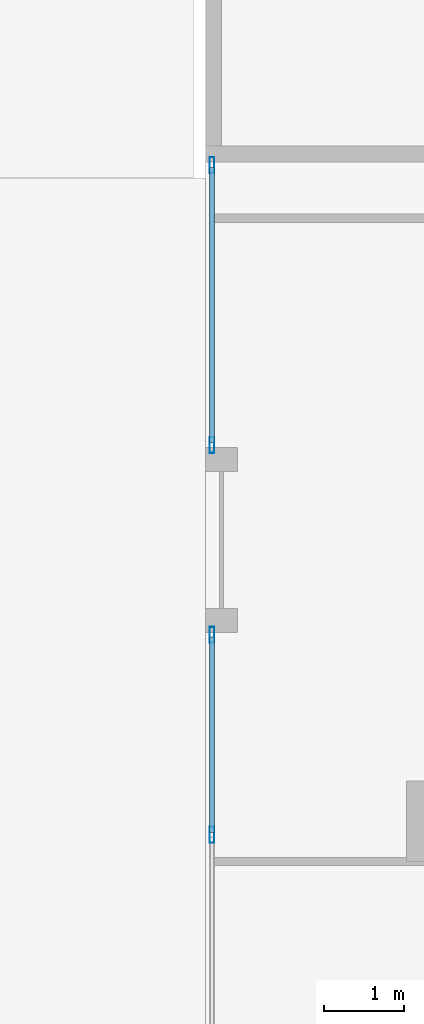
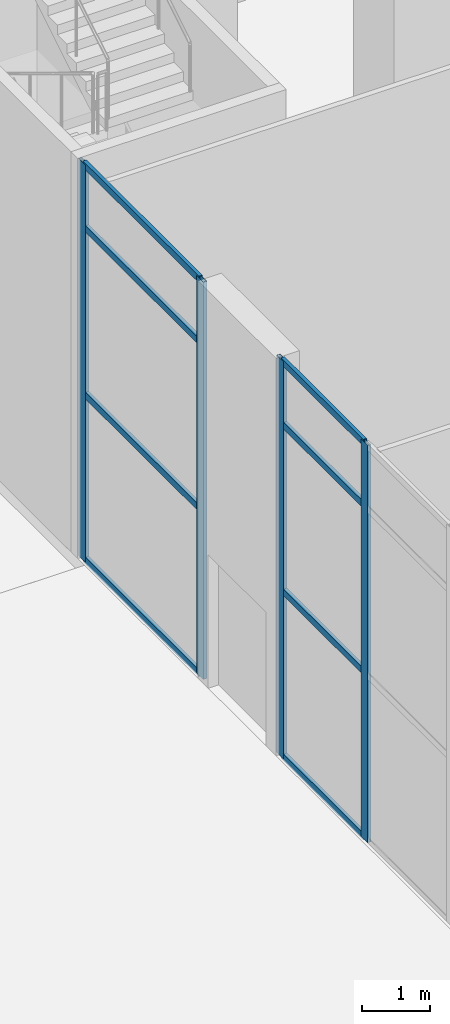
# One storey, part 13 of 52: 12 members, 2 elements without a shape of their own.
"""IFC4 building model written with IfcOpenShell, lengths in metres."""

from ifc_helpers import new_model, si_unit, direction, frame, origin, origin_2d, place, context, subcontext, project, spatial, hollow_rectangle, extrude, source, transform, mapped, material, material_profile, profile_set, type_object, element, aggregate, save


model = new_model("IFC4")

# Units and contexts
model_context = context("Model", 3, precision=1e-05, world=origin(), true_north=direction((0.0, 1.0)))
body_context = subcontext(model_context, "Body", "Model", "MODEL_VIEW")
ifc_project = project(units=[si_unit("LENGTHUNIT", "METRE"), si_unit("AREAUNIT", "SQUARE_METRE"), si_unit("VOLUMEUNIT", "CUBIC_METRE"), si_unit("PLANEANGLEUNIT", "RADIAN"), si_unit("MASSUNIT", "GRAM", prefix="KILO")], contexts=[model_context])

# Site, building, storey
site_placement = place(None, origin())
site = spatial("IfcSite", under=ifc_project, at=site_placement, CompositionType="ELEMENT")
building_placement = place(site_placement, origin())
building = spatial("IfcBuilding", under=site, at=building_placement, Name="Khomas Fold Tower", CompositionType="ELEMENT")
storey_placement = place(building_placement, origin())
storey = spatial("IfcBuildingStorey", under=building, at=storey_placement, Name="L00", CompositionType="ELEMENT", Elevation=0.0)

# Curtain wall, members
ifc_material_1 = material(Name="Aluminium framed double glazing", Category="aluminium")
curtain_wall_type = type_object("IfcCurtainWallType", Name="Shopfront glazing PD-CW", PredefinedType="NOTDEFINED", material=ifc_material_1)
curtain_wall_1_placement = place(storey_placement, origin())
curtain_wall_1 = element("IfcCurtainWall", 1, at=curtain_wall_1_placement, inside=storey, type_object=curtain_wall_type, Name="Podium shopfront run", PredefinedType="NOTDEFINED")
ifc_material_2 = material(Name="Aluminium", Category="aluminium")
ifc_material_profile_1 = material_profile(ifc_material_2, hollow_rectangle(XDim=0.06005859375, YDim=0.199951171875, WallThickness=0.00390625, at=origin_2d()), Name="Shopfront glazing mullion PD-CW-M")
ifc_profile_set_1 = profile_set([ifc_material_profile_1], Name="Aluminium")
member_type_1 = type_object("IfcMemberType", Name="Shopfront glazing mullion PD-CW-M", PredefinedType="MULLION", material=ifc_profile_set_1)
shared_shape_1 = source(origin(), body_context, "Body", "SweptSolid", [
    extrude(hollow_rectangle(XDim=0.06005859375, YDim=0.199951171875, WallThickness=0.00390625, at=origin_2d()), origin(), (0.0, 0.0, 1.0), 7.14990234375),
])
member_1_placement = place(storey_placement, frame((-8.919921875, 42.659912109375, 0.0), z_axis=(0.0, 0.0, 1.0), x_axis=(1.0, 0.0, 0.0)))
member_1 = element("IfcMember", 2, at=member_1_placement, type_object=member_type_1, Name="PD-CW mullion 1", PredefinedType="MULLION", context=body_context, shape_type="MappedRepresentation", body=[
    mapped(shared_shape_1, transform((0.0, 0.0, 0.0))),
])
member_2_placement = place(storey_placement, frame((-8.919921875, 39.179931640625, 0.0), z_axis=(0.0, 0.0, 1.0), x_axis=(1.0, 0.0, 0.0)))
member_2 = element("IfcMember", 3, at=member_2_placement, type_object=member_type_1, Name="PD-CW mullion 2", PredefinedType="MULLION", context=body_context, shape_type="MappedRepresentation", body=[
    mapped(shared_shape_1, transform((0.0, 0.0, 0.0))),
])

curtain_wall_2_placement = place(storey_placement, origin())
curtain_wall_2 = element("IfcCurtainWall", 4, at=curtain_wall_2_placement, inside=storey, type_object=curtain_wall_type, Name="Podium shopfront run", PredefinedType="NOTDEFINED")
member_3_placement = place(storey_placement, frame((-8.919921875, 36.820068359375, 0.0), z_axis=(0.0, 0.0, 1.0), x_axis=(1.0, 0.0, 0.0)))
member_3 = element("IfcMember", 5, at=member_3_placement, type_object=member_type_1, Name="PD-CW mullion 1", PredefinedType="MULLION", context=body_context, shape_type="MappedRepresentation", body=[
    mapped(shared_shape_1, transform((0.0, 0.0, 0.0))),
])
member_4_placement = place(storey_placement, frame((-8.919921875, 34.333251953125, 0.0), z_axis=(0.0, 0.0, 1.0), x_axis=(1.0, 0.0, 0.0)))
member_4 = element("IfcMember", 6, at=member_4_placement, type_object=member_type_1, Name="PD-CW mullion 2", PredefinedType="MULLION", context=body_context, shape_type="MappedRepresentation", body=[
    mapped(shared_shape_1, transform((0.0, 0.0, 0.0))),
])

# Member
ifc_material_3 = material(Name="Aluminium", Category="aluminium")
ifc_material_profile_2 = material_profile(ifc_material_3, hollow_rectangle(XDim=0.06005859375, YDim=0.1201171875, WallThickness=0.00390625, at=origin_2d()), Name="Shopfront glazing transom PD-CW-T")
ifc_profile_set_2 = profile_set([ifc_material_profile_2], Name="Aluminium")
member_type_2 = type_object("IfcMemberType", Name="Shopfront glazing transom PD-CW-T", PredefinedType="USERDEFINED", material=ifc_profile_set_2)
shared_shape_2 = source(origin(), body_context, "Body", "SweptSolid", [
    extrude(hollow_rectangle(XDim=0.06005859375, YDim=0.1201171875, WallThickness=0.00390625, at=origin_2d()), origin(), (0.0, 0.0, 1.0), 3.419921875),
])
member_5_placement = place(storey_placement, frame((-8.919921875, 42.6298828125, 0.030029296875), z_axis=(0.0, -1.0, 0.0), x_axis=(1.0, 0.0, 0.0)))
member_5 = element("IfcMember", 7, at=member_5_placement, type_object=member_type_2, Name="PD-CW transom 1.1", ObjectType="TRANSOM", PredefinedType="USERDEFINED", context=body_context, shape_type="MappedRepresentation", body=[
    mapped(shared_shape_2, transform((0.0, 0.0, 0.0))),
])

member_6_placement = place(storey_placement, frame((-8.919921875, 42.6298828125, 3.0), z_axis=(0.0, -1.0, 0.0), x_axis=(1.0, 0.0, 0.0)))
member_6 = element("IfcMember", 8, at=member_6_placement, type_object=member_type_2, Name="PD-CW transom 1.2", ObjectType="TRANSOM", PredefinedType="USERDEFINED", context=body_context, shape_type="MappedRepresentation", body=[
    mapped(shared_shape_2, transform((0.0, 0.0, 0.0))),
])

member_7_placement = place(storey_placement, frame((-8.919921875, 42.6298828125, 6.0), z_axis=(0.0, -1.0, 0.0), x_axis=(1.0, 0.0, 0.0)))
member_7 = element("IfcMember", 9, at=member_7_placement, type_object=member_type_2, Name="PD-CW transom 1.3", ObjectType="TRANSOM", PredefinedType="USERDEFINED", context=body_context, shape_type="MappedRepresentation", body=[
    mapped(shared_shape_2, transform((0.0, 0.0, 0.0))),
])

member_8_placement = place(storey_placement, frame((-8.919921875, 42.6298828125, 7.1201171875), z_axis=(0.0, -1.0, 0.0), x_axis=(1.0, 0.0, 0.0)))
member_8 = element("IfcMember", 10, at=member_8_placement, type_object=member_type_2, Name="PD-CW transom 1.4", ObjectType="TRANSOM", PredefinedType="USERDEFINED", context=body_context, shape_type="MappedRepresentation", body=[
    mapped(shared_shape_2, transform((0.0, 0.0, 0.0))),
])

aggregate(curtain_wall_1, [member_1, member_2, member_5, member_6, member_7, member_8])

shared_shape_3 = source(origin(), body_context, "Body", "SweptSolid", [
    extrude(hollow_rectangle(XDim=0.06005859375, YDim=0.1201171875, WallThickness=0.00390625, at=origin_2d()), origin(), (0.0, 0.0, 1.0), 2.4267578125),
])
member_9_placement = place(storey_placement, frame((-8.919921875, 36.7900390625, 0.030029296875), z_axis=(0.0, -1.0, 0.0), x_axis=(1.0, 0.0, 0.0)))
member_9 = element("IfcMember", 11, at=member_9_placement, type_object=member_type_2, Name="PD-CW transom 1.1", ObjectType="TRANSOM", PredefinedType="USERDEFINED", context=body_context, shape_type="MappedRepresentation", body=[
    mapped(shared_shape_3, transform((0.0, 0.0, 0.0))),
])

member_10_placement = place(storey_placement, frame((-8.919921875, 36.7900390625, 3.0), z_axis=(0.0, -1.0, 0.0), x_axis=(1.0, 0.0, 0.0)))
member_10 = element("IfcMember", 12, at=member_10_placement, type_object=member_type_2, Name="PD-CW transom 1.2", ObjectType="TRANSOM", PredefinedType="USERDEFINED", context=body_context, shape_type="MappedRepresentation", body=[
    mapped(shared_shape_3, transform((0.0, 0.0, 0.0))),
])

member_11_placement = place(storey_placement, frame((-8.919921875, 36.7900390625, 6.0), z_axis=(0.0, -1.0, 0.0), x_axis=(1.0, 0.0, 0.0)))
member_11 = element("IfcMember", 13, at=member_11_placement, type_object=member_type_2, Name="PD-CW transom 1.3", ObjectType="TRANSOM", PredefinedType="USERDEFINED", context=body_context, shape_type="MappedRepresentation", body=[
    mapped(shared_shape_3, transform((0.0, 0.0, 0.0))),
])

member_12_placement = place(storey_placement, frame((-8.919921875, 36.7900390625, 7.1201171875), z_axis=(0.0, -1.0, 0.0), x_axis=(1.0, 0.0, 0.0)))
member_12 = element("IfcMember", 14, at=member_12_placement, type_object=member_type_2, Name="PD-CW transom 1.4", ObjectType="TRANSOM", PredefinedType="USERDEFINED", context=body_context, shape_type="MappedRepresentation", body=[
    mapped(shared_shape_3, transform((0.0, 0.0, 0.0))),
])

aggregate(curtain_wall_2, [member_3, member_4, member_9, member_10, member_11, member_12])

save(model, "model.ifc")
